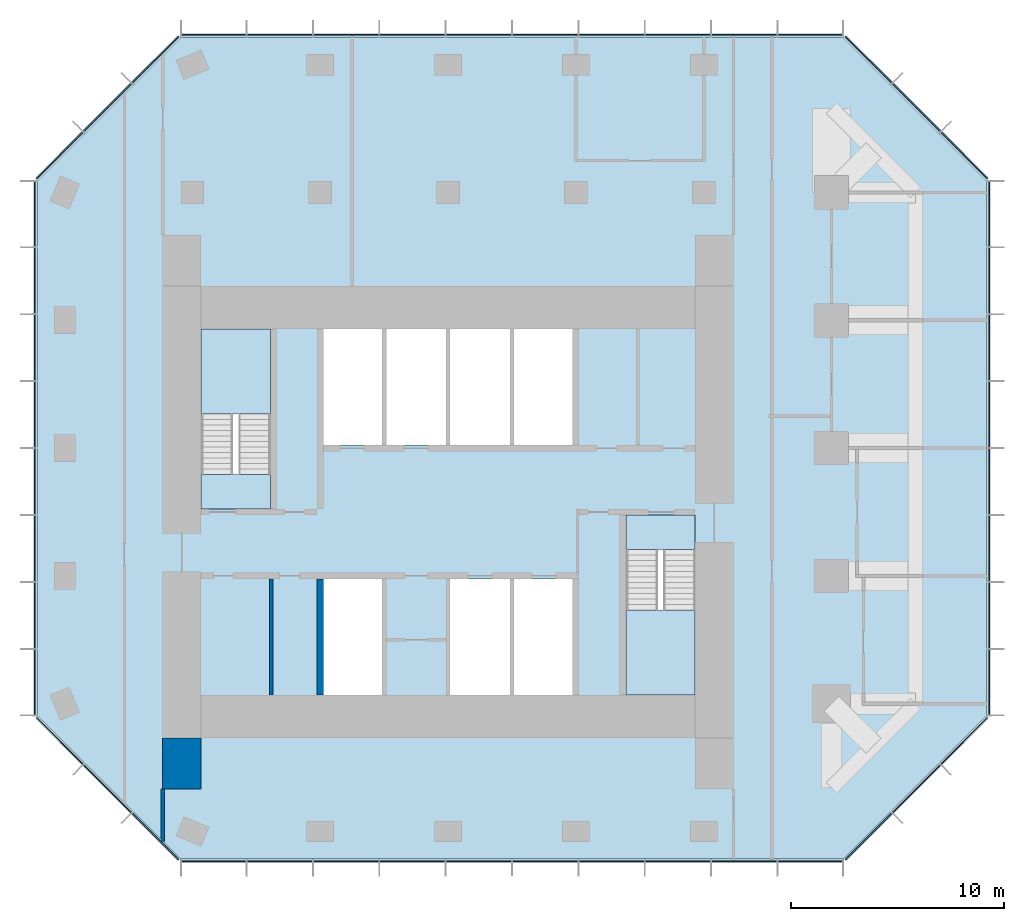
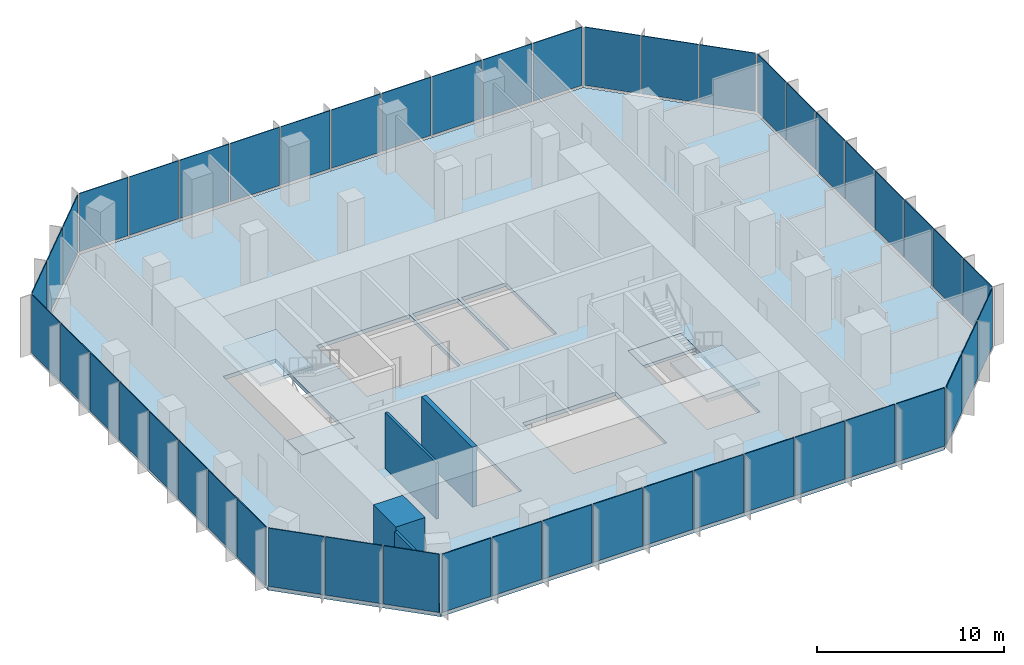
# One storey, part 7 of 10: 48 plates, 5 slabs, 4 walls, 10 elements without a shape of their own.
"""IFC4 building model written with IfcOpenShell, lengths in metres."""

from ifc_helpers import new_model, si_unit, direction, frame, frame_2d, origin, origin_2d, place, context, subcontext, project, spatial, polyline, rectangle, outline, extrude, material, layer, layer_set, type_object, element, aggregate, save


model = new_model("IFC4")

# Units and contexts
model_context = context("Model", 3, precision=1e-05, world=origin(), true_north=direction((0.0, 1.0)))
body_context = subcontext(model_context, "Body", "Model", "MODEL_VIEW")
ifc_project = project(units=[si_unit("LENGTHUNIT", "METRE"), si_unit("AREAUNIT", "SQUARE_METRE"), si_unit("VOLUMEUNIT", "CUBIC_METRE"), si_unit("PLANEANGLEUNIT", "RADIAN"), si_unit("MASSUNIT", "GRAM", prefix="KILO")], contexts=[model_context])

# Site, building, storey
site_placement = place(None, origin())
site = spatial("IfcSite", under=ifc_project, at=site_placement, CompositionType="ELEMENT")
building_placement = place(site_placement, origin())
building = spatial("IfcBuilding", under=site, at=building_placement, Name="Highveld Stack Headquarters", CompositionType="ELEMENT")
storey_placement = place(building_placement, frame((0.0, 0.0, 248.89990234375)))
storey = spatial("IfcBuildingStorey", under=building, at=storey_placement, Name="L61", CompositionType="ELEMENT", Elevation=248.89990234375)

# Curtain wall, plates
ifc_material_1 = material(Name="Aluminium bronze anodised", Category="aluminium")
ifc_layer_1 = layer(ifc_material_1, 0.199951171875)
ifc_layer_set_1 = layer_set([ifc_layer_1], Name="Aluminium bronze anodised")
curtain_wall_type = type_object("IfcCurtainWallType", Name="CW5 EXECUTIVE UNITISED CURTAIN WALL", PredefinedType="NOTDEFINED", material=ifc_layer_set_1)
curtain_wall_1_placement = place(storey_placement, origin())
curtain_wall_1 = element("IfcCurtainWall", 1, at=curtain_wall_1_placement, inside=storey, type_object=curtain_wall_type, Name="Curtain wall CW5 L61 S", PredefinedType="NOTDEFINED")
ifc_material_2 = material(Name="Glass bronze tinted triple glazed unit", Category="glass")
ifc_layer_2 = layer(ifc_material_2, 0.050048828125)
ifc_layer_set_2 = layer_set([ifc_layer_2], Name="Glass bronze tinted triple glazed unit")
plate_type = type_object("IfcPlateType", Name="CW5 PANEL BRONZE TINTED TRIPLE GLAZED UNIT", PredefinedType="CURTAIN_PANEL", material=ifc_layer_set_2)
plate_1_placement = place(storey_placement, frame((-5.005615234375, -13.39990234375, 0.10009765625), z_axis=(0.0, 0.0, 1.0), x_axis=(1.0, 0.0, 0.0)))
plate_1 = element("IfcPlate", 2, at=plate_1_placement, type_object=plate_type, Name="CW5 panel L61 1.1", PredefinedType="CURTAIN_PANEL", context=body_context, shape_type="SweptSolid", body=[
    extrude(rectangle(XDim=3.0185546875, YDim=0.050048828125, at=origin_2d()), origin(), (0.0, 0.0, 1.0), 3.800048828125),
])
plate_2_placement = place(storey_placement, frame((-1.906005859375, -13.39990234375, 0.10009765625), z_axis=(0.0, 0.0, 1.0), x_axis=(1.0, 0.0, 0.0)))
plate_2 = element("IfcPlate", 3, at=plate_2_placement, type_object=plate_type, Name="CW5 panel L61 2.1", PredefinedType="CURTAIN_PANEL", context=body_context, shape_type="SweptSolid", body=[
    extrude(rectangle(XDim=3.051025390625, YDim=0.050048828125, at=origin_2d()), origin(), (0.0, 0.0, 1.0), 3.800048828125),
])
plate_3_placement = place(storey_placement, frame((1.2099609375, -13.39990234375, 0.10009765625), z_axis=(0.0, 0.0, 1.0), x_axis=(1.0, 0.0, 0.0)))
plate_3 = element("IfcPlate", 4, at=plate_3_placement, type_object=plate_type, Name="CW5 panel L61 3.1", PredefinedType="CURTAIN_PANEL", context=body_context, shape_type="SweptSolid", body=[
    extrude(rectangle(XDim=3.051025390625, YDim=0.050048828125, at=origin_2d()), origin(), (0.0, 0.0, 1.0), 3.800048828125),
])
plate_4_placement = place(storey_placement, frame((4.325927734375, -13.39990234375, 0.10009765625), z_axis=(0.0, 0.0, 1.0), x_axis=(1.0, 0.0, 0.0)))
plate_4 = element("IfcPlate", 5, at=plate_4_placement, type_object=plate_type, Name="CW5 panel L61 4.1", PredefinedType="CURTAIN_PANEL", context=body_context, shape_type="SweptSolid", body=[
    extrude(rectangle(XDim=3.051025390625, YDim=0.050048828125, at=origin_2d()), origin(), (0.0, 0.0, 1.0), 3.800048828125),
])
plate_5_placement = place(storey_placement, frame((7.44189453125, -13.39990234375, 0.10009765625), z_axis=(0.0, 0.0, 1.0), x_axis=(1.0, 0.0, 0.0)))
plate_5 = element("IfcPlate", 6, at=plate_5_placement, type_object=plate_type, Name="CW5 panel L61 5.1", PredefinedType="CURTAIN_PANEL", context=body_context, shape_type="SweptSolid", body=[
    extrude(rectangle(XDim=3.051025390625, YDim=0.050048828125, at=origin_2d()), origin(), (0.0, 0.0, 1.0), 3.800048828125),
])
plate_6_placement = place(storey_placement, frame((10.55810546875, -13.39990234375, 0.10009765625), z_axis=(0.0, 0.0, 1.0), x_axis=(1.0, 0.0, 0.0)))
plate_6 = element("IfcPlate", 7, at=plate_6_placement, type_object=plate_type, Name="CW5 panel L61 6.1", PredefinedType="CURTAIN_PANEL", context=body_context, shape_type="SweptSolid", body=[
    extrude(rectangle(XDim=3.051025390625, YDim=0.050048828125, at=origin_2d()), origin(), (0.0, 0.0, 1.0), 3.800048828125),
])
plate_7_placement = place(storey_placement, frame((13.674072265625, -13.39990234375, 0.10009765625), z_axis=(0.0, 0.0, 1.0), x_axis=(1.0, 0.0, 0.0)))
plate_7 = element("IfcPlate", 8, at=plate_7_placement, type_object=plate_type, Name="CW5 panel L61 7.1", PredefinedType="CURTAIN_PANEL", context=body_context, shape_type="SweptSolid", body=[
    extrude(rectangle(XDim=3.051025390625, YDim=0.050048828125, at=origin_2d()), origin(), (0.0, 0.0, 1.0), 3.800048828125),
])
plate_8_placement = place(storey_placement, frame((16.789794921875, -13.39990234375, 0.10009765625), z_axis=(0.0, 0.0, 1.0), x_axis=(1.0, 0.0, 0.0)))
plate_8 = element("IfcPlate", 9, at=plate_8_placement, type_object=plate_type, Name="CW5 panel L61 8.1", PredefinedType="CURTAIN_PANEL", context=body_context, shape_type="SweptSolid", body=[
    extrude(rectangle(XDim=3.051025390625, YDim=0.050048828125, at=origin_2d()), origin(), (0.0, 0.0, 1.0), 3.800048828125),
])
plate_9_placement = place(storey_placement, frame((19.906005859375, -13.39990234375, 0.10009765625), z_axis=(0.0, 0.0, 1.0), x_axis=(1.0, 0.0, 0.0)))
plate_9 = element("IfcPlate", 10, at=plate_9_placement, type_object=plate_type, Name="CW5 panel L61 9.1", PredefinedType="CURTAIN_PANEL", context=body_context, shape_type="SweptSolid", body=[
    extrude(rectangle(XDim=3.051025390625, YDim=0.050048828125, at=origin_2d()), origin(), (0.0, 0.0, 1.0), 3.800048828125),
])
plate_10_placement = place(storey_placement, frame((23.005615234375, -13.39990234375, 0.10009765625), z_axis=(0.0, 0.0, 1.0), x_axis=(1.0, 0.0, 0.0)))
plate_10 = element("IfcPlate", 11, at=plate_10_placement, type_object=plate_type, Name="CW5 panel L61 10.1", PredefinedType="CURTAIN_PANEL", context=body_context, shape_type="SweptSolid", body=[
    extrude(rectangle(XDim=3.0185546875, YDim=0.050048828125, at=origin_2d()), origin(), (0.0, 0.0, 1.0), 3.800048828125),
])
aggregate(curtain_wall_1, [plate_1, plate_2, plate_3, plate_4, plate_5, plate_6, plate_7, plate_8, plate_9, plate_10])

curtain_wall_2_placement = place(storey_placement, origin())
curtain_wall_2 = element("IfcCurtainWall", 12, at=curtain_wall_2_placement, inside=storey, type_object=curtain_wall_type, Name="Curtain wall CW5 L61 SE", PredefinedType="NOTDEFINED")
plate_11_placement = place(storey_placement, frame((25.740478515625, -12.239501953125, 0.10009765625), z_axis=(0.0, 0.0, 1.0), x_axis=(0.707106781187, 0.707106781187, 0.0)))
plate_11 = element("IfcPlate", 13, at=plate_11_placement, type_object=plate_type, Name="CW5 panel L61 1.1", PredefinedType="CURTAIN_PANEL", context=body_context, shape_type="SweptSolid", body=[
    extrude(rectangle(XDim=3.08251953125, YDim=0.050048828125, at=origin_2d()), origin(), (0.0, 0.0, 1.0), 3.800048828125),
])
plate_12_placement = place(storey_placement, frame((27.989990234375, -9.989990234375, 0.10009765625), z_axis=(0.0, 0.0, 1.0), x_axis=(0.707106781187, 0.707106781187, 0.0)))
plate_12 = element("IfcPlate", 14, at=plate_12_placement, type_object=plate_type, Name="CW5 panel L61 2.1", PredefinedType="CURTAIN_PANEL", context=body_context, shape_type="SweptSolid", body=[
    extrude(rectangle(XDim=3.14990234375, YDim=0.050048828125, at=origin_2d()), origin(), (0.0, 0.0, 1.0), 3.800048828125),
])
plate_13_placement = place(storey_placement, frame((30.239501953125, -7.740478515625, 0.10009765625), z_axis=(0.0, 0.0, 1.0), x_axis=(0.707106781187, 0.707106781187, 0.0)))
plate_13 = element("IfcPlate", 15, at=plate_13_placement, type_object=plate_type, Name="CW5 panel L61 3.1", PredefinedType="CURTAIN_PANEL", context=body_context, shape_type="SweptSolid", body=[
    extrude(rectangle(XDim=3.08251953125, YDim=0.050048828125, at=origin_2d()), origin(), (0.0, 0.0, 1.0), 3.800048828125),
])
aggregate(curtain_wall_2, [plate_11, plate_12, plate_13])

curtain_wall_3_placement = place(storey_placement, origin())
curtain_wall_3 = element("IfcCurtainWall", 16, at=curtain_wall_3_placement, inside=storey, type_object=curtain_wall_type, Name="Curtain wall CW5 L61 E", PredefinedType="NOTDEFINED")
plate_14_placement = place(storey_placement, frame((31.39990234375, -4.9912109375, 0.10009765625), z_axis=(0.0, 0.0, 1.0), x_axis=(0.0, 1.0, 0.0)))
plate_14 = element("IfcPlate", 17, at=plate_14_placement, type_object=plate_type, Name="CW5 panel L61 1.1", PredefinedType="CURTAIN_PANEL", context=body_context, shape_type="SweptSolid", body=[
    extrude(rectangle(XDim=3.047607421875, YDim=0.050048828125, at=origin_2d()), origin(), (0.0, 0.0, 1.0), 3.800048828125),
])
plate_15_placement = place(storey_placement, frame((31.39990234375, -1.8623046875, 0.10009765625), z_axis=(0.0, 0.0, 1.0), x_axis=(0.0, 1.0, 0.0)))
plate_15 = element("IfcPlate", 18, at=plate_15_placement, type_object=plate_type, Name="CW5 panel L61 2.1", PredefinedType="CURTAIN_PANEL", context=body_context, shape_type="SweptSolid", body=[
    extrude(rectangle(XDim=3.080078125, YDim=0.050048828125, at=origin_2d()), origin(), (0.0, 0.0, 1.0), 3.800048828125),
])
plate_16_placement = place(storey_placement, frame((31.39990234375, 1.282470703125, 0.10009765625), z_axis=(0.0, 0.0, 1.0), x_axis=(0.0, 1.0, 0.0)))
plate_16 = element("IfcPlate", 19, at=plate_16_placement, type_object=plate_type, Name="CW5 panel L61 3.1", PredefinedType="CURTAIN_PANEL", context=body_context, shape_type="SweptSolid", body=[
    extrude(rectangle(XDim=3.080078125, YDim=0.050048828125, at=origin_2d()), origin(), (0.0, 0.0, 1.0), 3.800048828125),
])
plate_17_placement = place(storey_placement, frame((31.39990234375, 4.427490234375, 0.10009765625), z_axis=(0.0, 0.0, 1.0), x_axis=(0.0, 1.0, 0.0)))
plate_17 = element("IfcPlate", 20, at=plate_17_placement, type_object=plate_type, Name="CW5 panel L61 4.1", PredefinedType="CURTAIN_PANEL", context=body_context, shape_type="SweptSolid", body=[
    extrude(rectangle(XDim=3.080078125, YDim=0.050048828125, at=origin_2d()), origin(), (0.0, 0.0, 1.0), 3.800048828125),
])
plate_18_placement = place(storey_placement, frame((31.39990234375, 7.572509765625, 0.10009765625), z_axis=(0.0, 0.0, 1.0), x_axis=(0.0, 1.0, 0.0)))
plate_18 = element("IfcPlate", 21, at=plate_18_placement, type_object=plate_type, Name="CW5 panel L61 5.1", PredefinedType="CURTAIN_PANEL", context=body_context, shape_type="SweptSolid", body=[
    extrude(rectangle(XDim=3.080078125, YDim=0.050048828125, at=origin_2d()), origin(), (0.0, 0.0, 1.0), 3.800048828125),
])
plate_19_placement = place(storey_placement, frame((31.39990234375, 10.717529296875, 0.10009765625), z_axis=(0.0, 0.0, 1.0), x_axis=(0.0, 1.0, 0.0)))
plate_19 = element("IfcPlate", 22, at=plate_19_placement, type_object=plate_type, Name="CW5 panel L61 6.1", PredefinedType="CURTAIN_PANEL", context=body_context, shape_type="SweptSolid", body=[
    extrude(rectangle(XDim=3.080078125, YDim=0.050048828125, at=origin_2d()), origin(), (0.0, 0.0, 1.0), 3.800048828125),
])
plate_20_placement = place(storey_placement, frame((31.39990234375, 13.8623046875, 0.10009765625), z_axis=(0.0, 0.0, 1.0), x_axis=(0.0, 1.0, 0.0)))
plate_20 = element("IfcPlate", 23, at=plate_20_placement, type_object=plate_type, Name="CW5 panel L61 7.1", PredefinedType="CURTAIN_PANEL", context=body_context, shape_type="SweptSolid", body=[
    extrude(rectangle(XDim=3.080078125, YDim=0.050048828125, at=origin_2d()), origin(), (0.0, 0.0, 1.0), 3.800048828125),
])
plate_21_placement = place(storey_placement, frame((31.39990234375, 16.9912109375, 0.10009765625), z_axis=(0.0, 0.0, 1.0), x_axis=(0.0, 1.0, 0.0)))
plate_21 = element("IfcPlate", 24, at=plate_21_placement, type_object=plate_type, Name="CW5 panel L61 8.1", PredefinedType="CURTAIN_PANEL", context=body_context, shape_type="SweptSolid", body=[
    extrude(rectangle(XDim=3.047607421875, YDim=0.050048828125, at=origin_2d()), origin(), (0.0, 0.0, 1.0), 3.800048828125),
])
aggregate(curtain_wall_3, [plate_14, plate_15, plate_16, plate_17, plate_18, plate_19, plate_20, plate_21])

curtain_wall_4_placement = place(storey_placement, origin())
curtain_wall_4 = element("IfcCurtainWall", 25, at=curtain_wall_4_placement, inside=storey, type_object=curtain_wall_type, Name="Curtain wall CW5 L61 NE", PredefinedType="NOTDEFINED")
plate_22_placement = place(storey_placement, frame((30.239501953125, 19.740478515625, 0.10009765625), z_axis=(0.0, 0.0, 1.0), x_axis=(-0.707106781187, 0.707106781187, 0.0)))
plate_22 = element("IfcPlate", 26, at=plate_22_placement, type_object=plate_type, Name="CW5 panel L61 1.1", PredefinedType="CURTAIN_PANEL", context=body_context, shape_type="SweptSolid", body=[
    extrude(rectangle(XDim=3.08251953125, YDim=0.050048828125, at=origin_2d()), origin(), (0.0, 0.0, 1.0), 3.800048828125),
])
plate_23_placement = place(storey_placement, frame((27.989990234375, 21.989990234375, 0.10009765625), z_axis=(0.0, 0.0, 1.0), x_axis=(-0.707106781187, 0.707106781187, 0.0)))
plate_23 = element("IfcPlate", 27, at=plate_23_placement, type_object=plate_type, Name="CW5 panel L61 2.1", PredefinedType="CURTAIN_PANEL", context=body_context, shape_type="SweptSolid", body=[
    extrude(rectangle(XDim=3.14990234375, YDim=0.050048828125, at=origin_2d()), origin(), (0.0, 0.0, 1.0), 3.800048828125),
])
plate_24_placement = place(storey_placement, frame((25.740478515625, 24.239501953125, 0.10009765625), z_axis=(0.0, 0.0, 1.0), x_axis=(-0.707106781187, 0.707106781187, 0.0)))
plate_24 = element("IfcPlate", 28, at=plate_24_placement, type_object=plate_type, Name="CW5 panel L61 3.1", PredefinedType="CURTAIN_PANEL", context=body_context, shape_type="SweptSolid", body=[
    extrude(rectangle(XDim=3.08251953125, YDim=0.050048828125, at=origin_2d()), origin(), (0.0, 0.0, 1.0), 3.800048828125),
])
aggregate(curtain_wall_4, [plate_22, plate_23, plate_24])

curtain_wall_5_placement = place(storey_placement, origin())
curtain_wall_5 = element("IfcCurtainWall", 29, at=curtain_wall_5_placement, inside=storey, type_object=curtain_wall_type, Name="Curtain wall CW5 L61 N", PredefinedType="NOTDEFINED")
plate_25_placement = place(storey_placement, frame((23.005615234375, 25.39990234375, 0.10009765625), z_axis=(0.0, 0.0, 1.0), x_axis=(-1.0, 0.0, 0.0)))
plate_25 = element("IfcPlate", 30, at=plate_25_placement, type_object=plate_type, Name="CW5 panel L61 1.1", PredefinedType="CURTAIN_PANEL", context=body_context, shape_type="SweptSolid", body=[
    extrude(rectangle(XDim=3.0185546875, YDim=0.050048828125, at=origin_2d()), origin(), (0.0, 0.0, 1.0), 3.800048828125),
])
plate_26_placement = place(storey_placement, frame((19.906005859375, 25.39990234375, 0.10009765625), z_axis=(0.0, 0.0, 1.0), x_axis=(-1.0, 0.0, 0.0)))
plate_26 = element("IfcPlate", 31, at=plate_26_placement, type_object=plate_type, Name="CW5 panel L61 2.1", PredefinedType="CURTAIN_PANEL", context=body_context, shape_type="SweptSolid", body=[
    extrude(rectangle(XDim=3.051025390625, YDim=0.050048828125, at=origin_2d()), origin(), (0.0, 0.0, 1.0), 3.800048828125),
])
plate_27_placement = place(storey_placement, frame((16.7900390625, 25.39990234375, 0.10009765625), z_axis=(0.0, 0.0, 1.0), x_axis=(-1.0, 0.0, 0.0)))
plate_27 = element("IfcPlate", 32, at=plate_27_placement, type_object=plate_type, Name="CW5 panel L61 3.1", PredefinedType="CURTAIN_PANEL", context=body_context, shape_type="SweptSolid", body=[
    extrude(rectangle(XDim=3.051025390625, YDim=0.050048828125, at=origin_2d()), origin(), (0.0, 0.0, 1.0), 3.800048828125),
])
plate_28_placement = place(storey_placement, frame((13.674072265625, 25.39990234375, 0.10009765625), z_axis=(0.0, 0.0, 1.0), x_axis=(-1.0, 0.0, 0.0)))
plate_28 = element("IfcPlate", 33, at=plate_28_placement, type_object=plate_type, Name="CW5 panel L61 4.1", PredefinedType="CURTAIN_PANEL", context=body_context, shape_type="SweptSolid", body=[
    extrude(rectangle(XDim=3.051025390625, YDim=0.050048828125, at=origin_2d()), origin(), (0.0, 0.0, 1.0), 3.800048828125),
])
plate_29_placement = place(storey_placement, frame((10.55810546875, 25.39990234375, 0.10009765625), z_axis=(0.0, 0.0, 1.0), x_axis=(-1.0, 0.0, 0.0)))
plate_29 = element("IfcPlate", 34, at=plate_29_placement, type_object=plate_type, Name="CW5 panel L61 5.1", PredefinedType="CURTAIN_PANEL", context=body_context, shape_type="SweptSolid", body=[
    extrude(rectangle(XDim=3.051025390625, YDim=0.050048828125, at=origin_2d()), origin(), (0.0, 0.0, 1.0), 3.800048828125),
])
plate_30_placement = place(storey_placement, frame((7.44189453125, 25.39990234375, 0.10009765625), z_axis=(0.0, 0.0, 1.0), x_axis=(-1.0, 0.0, 0.0)))
plate_30 = element("IfcPlate", 35, at=plate_30_placement, type_object=plate_type, Name="CW5 panel L61 6.1", PredefinedType="CURTAIN_PANEL", context=body_context, shape_type="SweptSolid", body=[
    extrude(rectangle(XDim=3.051025390625, YDim=0.050048828125, at=origin_2d()), origin(), (0.0, 0.0, 1.0), 3.800048828125),
])
plate_31_placement = place(storey_placement, frame((4.325927734375, 25.39990234375, 0.10009765625), z_axis=(0.0, 0.0, 1.0), x_axis=(-1.0, 0.0, 0.0)))
plate_31 = element("IfcPlate", 36, at=plate_31_placement, type_object=plate_type, Name="CW5 panel L61 7.1", PredefinedType="CURTAIN_PANEL", context=body_context, shape_type="SweptSolid", body=[
    extrude(rectangle(XDim=3.051025390625, YDim=0.050048828125, at=origin_2d()), origin(), (0.0, 0.0, 1.0), 3.800048828125),
])
plate_32_placement = place(storey_placement, frame((1.210205078125, 25.39990234375, 0.10009765625), z_axis=(0.0, 0.0, 1.0), x_axis=(-1.0, 0.0, 0.0)))
plate_32 = element("IfcPlate", 37, at=plate_32_placement, type_object=plate_type, Name="CW5 panel L61 8.1", PredefinedType="CURTAIN_PANEL", context=body_context, shape_type="SweptSolid", body=[
    extrude(rectangle(XDim=3.051025390625, YDim=0.050048828125, at=origin_2d()), origin(), (0.0, 0.0, 1.0), 3.800048828125),
])
plate_33_placement = place(storey_placement, frame((-1.906005859375, 25.39990234375, 0.10009765625), z_axis=(0.0, 0.0, 1.0), x_axis=(-1.0, 0.0, 0.0)))
plate_33 = element("IfcPlate", 38, at=plate_33_placement, type_object=plate_type, Name="CW5 panel L61 9.1", PredefinedType="CURTAIN_PANEL", context=body_context, shape_type="SweptSolid", body=[
    extrude(rectangle(XDim=3.051025390625, YDim=0.050048828125, at=origin_2d()), origin(), (0.0, 0.0, 1.0), 3.800048828125),
])
plate_34_placement = place(storey_placement, frame((-5.005615234375, 25.39990234375, 0.10009765625), z_axis=(0.0, 0.0, 1.0), x_axis=(-1.0, 0.0, 0.0)))
plate_34 = element("IfcPlate", 39, at=plate_34_placement, type_object=plate_type, Name="CW5 panel L61 10.1", PredefinedType="CURTAIN_PANEL", context=body_context, shape_type="SweptSolid", body=[
    extrude(rectangle(XDim=3.0185546875, YDim=0.050048828125, at=origin_2d()), origin(), (0.0, 0.0, 1.0), 3.800048828125),
])
aggregate(curtain_wall_5, [plate_25, plate_26, plate_27, plate_28, plate_29, plate_30, plate_31, plate_32, plate_33, plate_34])

curtain_wall_6_placement = place(storey_placement, origin())
curtain_wall_6 = element("IfcCurtainWall", 40, at=curtain_wall_6_placement, inside=storey, type_object=curtain_wall_type, Name="Curtain wall CW5 L61 NW", PredefinedType="NOTDEFINED")
plate_35_placement = place(storey_placement, frame((-7.740478515625, 24.239501953125, 0.10009765625), z_axis=(0.0, 0.0, 1.0), x_axis=(-0.707106781187, -0.707106781187, 0.0)))
plate_35 = element("IfcPlate", 41, at=plate_35_placement, type_object=plate_type, Name="CW5 panel L61 1.1", PredefinedType="CURTAIN_PANEL", context=body_context, shape_type="SweptSolid", body=[
    extrude(rectangle(XDim=3.08251953125, YDim=0.050048828125, at=origin_2d()), origin(), (0.0, 0.0, 1.0), 3.800048828125),
])
plate_36_placement = place(storey_placement, frame((-9.989990234375, 21.989990234375, 0.10009765625), z_axis=(0.0, 0.0, 1.0), x_axis=(-0.707106781187, -0.707106781187, 0.0)))
plate_36 = element("IfcPlate", 42, at=plate_36_placement, type_object=plate_type, Name="CW5 panel L61 2.1", PredefinedType="CURTAIN_PANEL", context=body_context, shape_type="SweptSolid", body=[
    extrude(rectangle(XDim=3.14990234375, YDim=0.050048828125, at=origin_2d()), origin(), (0.0, 0.0, 1.0), 3.800048828125),
])
plate_37_placement = place(storey_placement, frame((-12.239501953125, 19.740478515625, 0.10009765625), z_axis=(0.0, 0.0, 1.0), x_axis=(-0.707106781187, -0.707106781187, 0.0)))
plate_37 = element("IfcPlate", 43, at=plate_37_placement, type_object=plate_type, Name="CW5 panel L61 3.1", PredefinedType="CURTAIN_PANEL", context=body_context, shape_type="SweptSolid", body=[
    extrude(rectangle(XDim=3.08251953125, YDim=0.050048828125, at=origin_2d()), origin(), (0.0, 0.0, 1.0), 3.800048828125),
])
aggregate(curtain_wall_6, [plate_35, plate_36, plate_37])

curtain_wall_7_placement = place(storey_placement, origin())
curtain_wall_7 = element("IfcCurtainWall", 44, at=curtain_wall_7_placement, inside=storey, type_object=curtain_wall_type, Name="Curtain wall CW5 L61 W", PredefinedType="NOTDEFINED")
plate_38_placement = place(storey_placement, frame((-13.39990234375, 16.9912109375, 0.10009765625), z_axis=(0.0, 0.0, 1.0), x_axis=(0.0, -1.0, 0.0)))
plate_38 = element("IfcPlate", 45, at=plate_38_placement, type_object=plate_type, Name="CW5 panel L61 1.1", PredefinedType="CURTAIN_PANEL", context=body_context, shape_type="SweptSolid", body=[
    extrude(rectangle(XDim=3.047607421875, YDim=0.050048828125, at=origin_2d()), origin(), (0.0, 0.0, 1.0), 3.800048828125),
])
plate_39_placement = place(storey_placement, frame((-13.39990234375, 13.8623046875, 0.10009765625), z_axis=(0.0, 0.0, 1.0), x_axis=(0.0, -1.0, 0.0)))
plate_39 = element("IfcPlate", 46, at=plate_39_placement, type_object=plate_type, Name="CW5 panel L61 2.1", PredefinedType="CURTAIN_PANEL", context=body_context, shape_type="SweptSolid", body=[
    extrude(rectangle(XDim=3.080078125, YDim=0.050048828125, at=origin_2d()), origin(), (0.0, 0.0, 1.0), 3.800048828125),
])
plate_40_placement = place(storey_placement, frame((-13.39990234375, 10.717529296875, 0.10009765625), z_axis=(0.0, 0.0, 1.0), x_axis=(0.0, -1.0, 0.0)))
plate_40 = element("IfcPlate", 47, at=plate_40_placement, type_object=plate_type, Name="CW5 panel L61 3.1", PredefinedType="CURTAIN_PANEL", context=body_context, shape_type="SweptSolid", body=[
    extrude(rectangle(XDim=3.080078125, YDim=0.050048828125, at=origin_2d()), origin(), (0.0, 0.0, 1.0), 3.800048828125),
])
plate_41_placement = place(storey_placement, frame((-13.39990234375, 7.572509765625, 0.10009765625), z_axis=(0.0, 0.0, 1.0), x_axis=(0.0, -1.0, 0.0)))
plate_41 = element("IfcPlate", 48, at=plate_41_placement, type_object=plate_type, Name="CW5 panel L61 4.1", PredefinedType="CURTAIN_PANEL", context=body_context, shape_type="SweptSolid", body=[
    extrude(rectangle(XDim=3.080078125, YDim=0.050048828125, at=origin_2d()), origin(), (0.0, 0.0, 1.0), 3.800048828125),
])
plate_42_placement = place(storey_placement, frame((-13.39990234375, 4.427490234375, 0.10009765625), z_axis=(0.0, 0.0, 1.0), x_axis=(0.0, -1.0, 0.0)))
plate_42 = element("IfcPlate", 49, at=plate_42_placement, type_object=plate_type, Name="CW5 panel L61 5.1", PredefinedType="CURTAIN_PANEL", context=body_context, shape_type="SweptSolid", body=[
    extrude(rectangle(XDim=3.080078125, YDim=0.050048828125, at=origin_2d()), origin(), (0.0, 0.0, 1.0), 3.800048828125),
])
plate_43_placement = place(storey_placement, frame((-13.39990234375, 1.282470703125, 0.10009765625), z_axis=(0.0, 0.0, 1.0), x_axis=(0.0, -1.0, 0.0)))
plate_43 = element("IfcPlate", 50, at=plate_43_placement, type_object=plate_type, Name="CW5 panel L61 6.1", PredefinedType="CURTAIN_PANEL", context=body_context, shape_type="SweptSolid", body=[
    extrude(rectangle(XDim=3.080078125, YDim=0.050048828125, at=origin_2d()), origin(), (0.0, 0.0, 1.0), 3.800048828125),
])
plate_44_placement = place(storey_placement, frame((-13.39990234375, -1.8623046875, 0.10009765625), z_axis=(0.0, 0.0, 1.0), x_axis=(0.0, -1.0, 0.0)))
plate_44 = element("IfcPlate", 51, at=plate_44_placement, type_object=plate_type, Name="CW5 panel L61 7.1", PredefinedType="CURTAIN_PANEL", context=body_context, shape_type="SweptSolid", body=[
    extrude(rectangle(XDim=3.080078125, YDim=0.050048828125, at=origin_2d()), origin(), (0.0, 0.0, 1.0), 3.800048828125),
])
plate_45_placement = place(storey_placement, frame((-13.39990234375, -4.9912109375, 0.10009765625), z_axis=(0.0, 0.0, 1.0), x_axis=(0.0, -1.0, 0.0)))
plate_45 = element("IfcPlate", 52, at=plate_45_placement, type_object=plate_type, Name="CW5 panel L61 8.1", PredefinedType="CURTAIN_PANEL", context=body_context, shape_type="SweptSolid", body=[
    extrude(rectangle(XDim=3.047607421875, YDim=0.050048828125, at=origin_2d()), origin(), (0.0, 0.0, 1.0), 3.800048828125),
])
aggregate(curtain_wall_7, [plate_38, plate_39, plate_40, plate_41, plate_42, plate_43, plate_44, plate_45])

curtain_wall_8_placement = place(storey_placement, origin())
curtain_wall_8 = element("IfcCurtainWall", 53, at=curtain_wall_8_placement, inside=storey, type_object=curtain_wall_type, Name="Curtain wall CW5 L61 SW", PredefinedType="NOTDEFINED")
plate_46_placement = place(storey_placement, frame((-12.239501953125, -7.740478515625, 0.10009765625), z_axis=(0.0, 0.0, 1.0), x_axis=(0.707106781187, -0.707106781187, 0.0)))
plate_46 = element("IfcPlate", 54, at=plate_46_placement, type_object=plate_type, Name="CW5 panel L61 1.1", PredefinedType="CURTAIN_PANEL", context=body_context, shape_type="SweptSolid", body=[
    extrude(rectangle(XDim=3.08251953125, YDim=0.050048828125, at=origin_2d()), origin(), (0.0, 0.0, 1.0), 3.800048828125),
])
plate_47_placement = place(storey_placement, frame((-9.989990234375, -9.989990234375, 0.10009765625), z_axis=(0.0, 0.0, 1.0), x_axis=(0.707106781187, -0.707106781187, 0.0)))
plate_47 = element("IfcPlate", 55, at=plate_47_placement, type_object=plate_type, Name="CW5 panel L61 2.1", PredefinedType="CURTAIN_PANEL", context=body_context, shape_type="SweptSolid", body=[
    extrude(rectangle(XDim=3.14990234375, YDim=0.050048828125, at=origin_2d()), origin(), (0.0, 0.0, 1.0), 3.800048828125),
])
plate_48_placement = place(storey_placement, frame((-7.740478515625, -12.239501953125, 0.10009765625), z_axis=(0.0, 0.0, 1.0), x_axis=(0.707106781187, -0.707106781187, 0.0)))
plate_48 = element("IfcPlate", 56, at=plate_48_placement, type_object=plate_type, Name="CW5 panel L61 3.1", PredefinedType="CURTAIN_PANEL", context=body_context, shape_type="SweptSolid", body=[
    extrude(rectangle(XDim=3.08251953125, YDim=0.050048828125, at=origin_2d()), origin(), (0.0, 0.0, 1.0), 3.800048828125),
])
aggregate(curtain_wall_8, [plate_46, plate_47, plate_48])

# Slab
ifc_material_3 = material(Name="Concrete C60/75", Category="concrete")
ifc_layer_3 = layer(ifc_material_3, 0.25)
ifc_layer_set_3 = layer_set([ifc_layer_3], Name="Concrete C60/75")
slab_type_1 = type_object("IfcSlabType", Name="PT FLAT SLAB 250", PredefinedType="FLOOR", material=ifc_layer_set_3)
slab_1_placement = place(storey_placement, frame((0.0, 0.0, -0.25)))
element("IfcSlab", 57, at=slab_1_placement, inside=storey, type_object=slab_type_1, Name="Floor slab L61", PredefinedType="FLOOR", context=body_context, shape_type="SweptSolid", body=[
    extrude(outline(polyline([(-6.53857421875, -13.300048828125), (24.53857421875, -13.300048828125), (31.300048828125, -6.53857421875), (31.300048828125, 18.53857421875), (24.53857421875, 25.300048828125), (-6.53857421875, 25.300048828125), (-13.300048828125, 18.53857421875), (-13.300048828125, -6.53857421875), (-6.53857421875, -13.300048828125)]), holes=[polyline([(0.14990234375, 6.14990234375), (5.89990234375, 6.14990234375), (5.89990234375, 11.60009765625), (0.14990234375, 11.60009765625), (0.14990234375, 6.14990234375)]), polyline([(9.10009765625, 6.14990234375), (11.85009765625, 6.14990234375), (11.85009765625, 11.60009765625), (9.10009765625, 11.60009765625), (9.10009765625, 6.14990234375)]), polyline([(6.10009765625, 6.14990234375), (8.89990234375, 6.14990234375), (8.89990234375, 11.60009765625), (6.10009765625, 11.60009765625), (6.10009765625, 6.14990234375)]), polyline([(6.10009765625, -5.60009765625), (11.85009765625, -5.60009765625), (11.85009765625, -0.14990234375), (6.10009765625, -0.14990234375), (6.10009765625, -5.60009765625)]), polyline([(0.14990234375, -5.60009765625), (2.89990234375, -5.60009765625), (2.89990234375, -0.14990234375), (0.14990234375, -0.14990234375), (0.14990234375, -5.60009765625)]), polyline([(-5.60009765625, 3.14990234375), (-2.35009765625, 3.14990234375), (-2.35009765625, 11.60009765625), (-5.60009765625, 11.60009765625), (-5.60009765625, 3.14990234375)]), polyline([(14.35009765625, -5.60009765625), (17.60009765625, -5.60009765625), (17.60009765625, 2.85009765625), (14.35009765625, 2.85009765625), (14.35009765625, -5.60009765625)])]), origin(), (0.0, 0.0, 1.0), 0.25),
])

# Stair, slabs
ifc_material_4 = material(Name="Concrete C40/50, precast", Category="concrete")
stair_type_1 = type_object("IfcStairType", Name="STAIR S1 HALF TURN 1500", PredefinedType="HALF_TURN_STAIR", material=ifc_material_4)
stair_1_placement = place(storey_placement, origin())
stair_1 = element("IfcStair", 58, at=stair_1_placement, inside=storey, type_object=stair_type_1, Name="Stair S1 L61", PredefinedType="HALF_TURN_STAIR")
ifc_material_5 = material(Name="Concrete C40/50, precast", Category="concrete")
ifc_layer_4 = layer(ifc_material_5, 0.199951171875)
ifc_layer_set_4 = layer_set([ifc_layer_4], Name="Concrete C40/50, precast")
slab_type_2 = type_object("IfcSlabType", Name="STAIR LANDING 200", PredefinedType="LANDING", material=ifc_layer_set_4)
slab_2_placement = place(storey_placement, frame((0.0, 0.0, 1.75)))
slab_2 = element("IfcSlab", 59, at=slab_2_placement, type_object=slab_type_2, Name="S1 landing 1", PredefinedType="LANDING", context=body_context, shape_type="SweptSolid", body=[
    extrude(outline(polyline([(-5.60009765625, 7.610107421875), (-2.35009765625, 7.610107421875), (-2.35009765625, 11.60009765625), (-5.60009765625, 11.60009765625), (-5.60009765625, 7.610107421875)])), origin(), (0.0, 0.0, 1.0), 0.2001953125),
])
slab_3_placement = place(storey_placement, frame((0.0, 0.0, -0.199951171875)))
slab_3 = element("IfcSlab", 60, at=slab_3_placement, type_object=slab_type_2, Name="S1 landing 2", PredefinedType="LANDING", context=body_context, shape_type="SweptSolid", body=[
    extrude(outline(polyline([(-5.60009765625, 3.14990234375), (-2.35009765625, 3.14990234375), (-2.35009765625, 4.75), (-5.60009765625, 4.75), (-5.60009765625, 3.14990234375)])), origin(), (0.0, 0.0, 1.0), 0.199951171875),
])
aggregate(stair_1, [slab_2, slab_3])

ifc_material_6 = material(Name="Concrete C40/50, precast", Category="concrete")
stair_type_2 = type_object("IfcStairType", Name="STAIR S2 HALF TURN 1500", PredefinedType="HALF_TURN_STAIR", material=ifc_material_6)
stair_2_placement = place(storey_placement, origin())
stair_2 = element("IfcStair", 61, at=stair_2_placement, inside=storey, type_object=stair_type_2, Name="Stair S2 L61", PredefinedType="HALF_TURN_STAIR")
slab_4_placement = place(storey_placement, frame((0.0, 0.0, 1.75)))
slab_4 = element("IfcSlab", 62, at=slab_4_placement, type_object=slab_type_2, Name="S2 landing 1", PredefinedType="LANDING", context=body_context, shape_type="SweptSolid", body=[
    extrude(outline(polyline([(14.35009765625, -5.60009765625), (17.60009765625, -5.60009765625), (17.60009765625, -1.610107421875), (14.35009765625, -1.610107421875), (14.35009765625, -5.60009765625)])), origin(), (0.0, 0.0, 1.0), 0.2001953125),
])
slab_5_placement = place(storey_placement, frame((0.0, 0.0, -0.199951171875)))
slab_5 = element("IfcSlab", 63, at=slab_5_placement, type_object=slab_type_2, Name="S2 landing 2", PredefinedType="LANDING", context=body_context, shape_type="SweptSolid", body=[
    extrude(outline(polyline([(14.35009765625, 1.25), (17.60009765625, 1.25), (17.60009765625, 2.85009765625), (14.35009765625, 2.85009765625), (14.35009765625, 1.25)])), origin(), (0.0, 0.0, 1.0), 0.199951171875),
])
aggregate(stair_2, [slab_4, slab_5])

# Walls
ifc_material_7 = material(Name="Concrete C60/75", Category="concrete")
ifc_layer_5 = layer(ifc_material_7, 0.300048828125)
ifc_layer_set_5 = layer_set([ifc_layer_5], Name="Concrete C60/75")
wall_type_1 = type_object("IfcWallType", Name="CORE WALL 300 C60/75", PredefinedType="SHEAR", material=ifc_layer_set_5)
wall_1_placement = place(storey_placement, frame((0.0, -5.60009765625, 0.0), z_axis=(0.0, 0.0, 1.0), x_axis=(0.0, 1.0, 0.0)))
element("IfcWall", 64, at=wall_1_placement, inside=storey, type_object=wall_type_1, Name="Core wall I-X0S L61", PredefinedType="SHEAR", context=body_context, shape_type="SweptSolid", body=[
    extrude(rectangle(XDim=5.4501953125, YDim=0.300048828125, at=frame_2d((2.72509765625, 0.0))), origin(), (0.0, 0.0, 1.0), 3.900146484375),
])
ifc_material_8 = material(Name="Concrete C60/75", Category="concrete")
ifc_layer_6 = layer(ifc_material_8, 1.800048828125)
ifc_layer_set_6 = layer_set([ifc_layer_6], Name="Concrete C60/75")
wall_type_2 = type_object("IfcWallType", Name="CORE WING WALL 1800 C60/75", PredefinedType="SHEAR", material=ifc_layer_set_6)
wall_2_placement = place(storey_placement, frame((-6.5, -10.0, 0.0), z_axis=(0.0, 0.0, 1.0), x_axis=(0.0, 1.0, 0.0)))
element("IfcWall", 65, at=wall_2_placement, inside=storey, type_object=wall_type_2, Name="Core wing wall WS L61", PredefinedType="SHEAR", context=body_context, shape_type="SweptSolid", body=[
    extrude(rectangle(XDim=2.39990234375, YDim=1.800048828125, at=frame_2d((1.199951171875, 0.0))), origin(), (0.0, 0.0, 1.0), 3.900146484375),
])
ifc_material_9 = material(Name="Gypsum plasterboard on steel studs", Category="steel")
ifc_layer_7 = layer(ifc_material_9, 0.14990234375)
ifc_layer_set_7 = layer_set([ifc_layer_7], Name="Gypsum plasterboard on steel studs")
wall_type_3 = type_object("IfcWallType", Name="PARTITION 150 PLASTERBOARD", PredefinedType="PARTITIONING", material=ifc_layer_set_7)
wall_3_placement = place(storey_placement, frame((-7.39990234375, -12.464111328125, 0.0), z_axis=(0.0, 0.0, 1.0), x_axis=(0.0, 1.0, 0.0)))
element("IfcWall", 66, at=wall_3_placement, inside=storey, type_object=wall_type_3, Name="Partition office neighbourhood L61", PredefinedType="PARTITIONING", context=body_context, shape_type="SweptSolid", body=[
    extrude(rectangle(XDim=2.464111328125, YDim=0.14990234375, at=frame_2d((1.23193359375, 0.0))), origin(), (0.0, 0.0, 1.0), 3.650146484375),
])
ifc_material_10 = material(Name="Concrete blockwork, tiled", Category="masonry")
ifc_layer_8 = layer(ifc_material_10, 0.14990234375)
ifc_layer_set_8 = layer_set([ifc_layer_8], Name="Concrete blockwork, tiled")
wall_type_4 = type_object("IfcWallType", Name="WC PARTITION 150", PredefinedType="PLUMBINGWALL", material=ifc_layer_set_8)
wall_4_placement = place(storey_placement, frame((-2.300048828125, -5.60009765625, 0.0), z_axis=(0.0, 0.0, 1.0), x_axis=(0.0, 1.0, 0.0)))
element("IfcWall", 67, at=wall_4_placement, inside=storey, type_object=wall_type_4, Name="Toilet partition L61", PredefinedType="PLUMBINGWALL", context=body_context, shape_type="SweptSolid", body=[
    extrude(rectangle(XDim=5.4501953125, YDim=0.14990234375, at=frame_2d((2.72509765625, 0.0))), origin(), (0.0, 0.0, 1.0), 3.650146484375),
])

save(model, "model.ifc")
